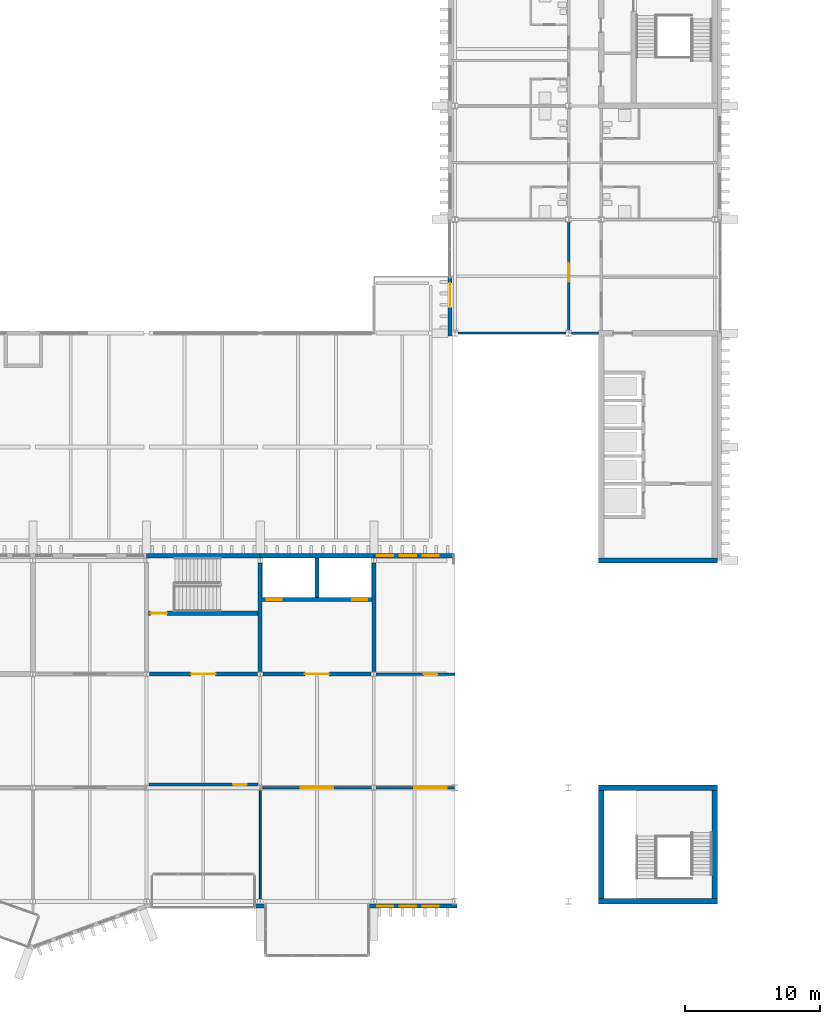
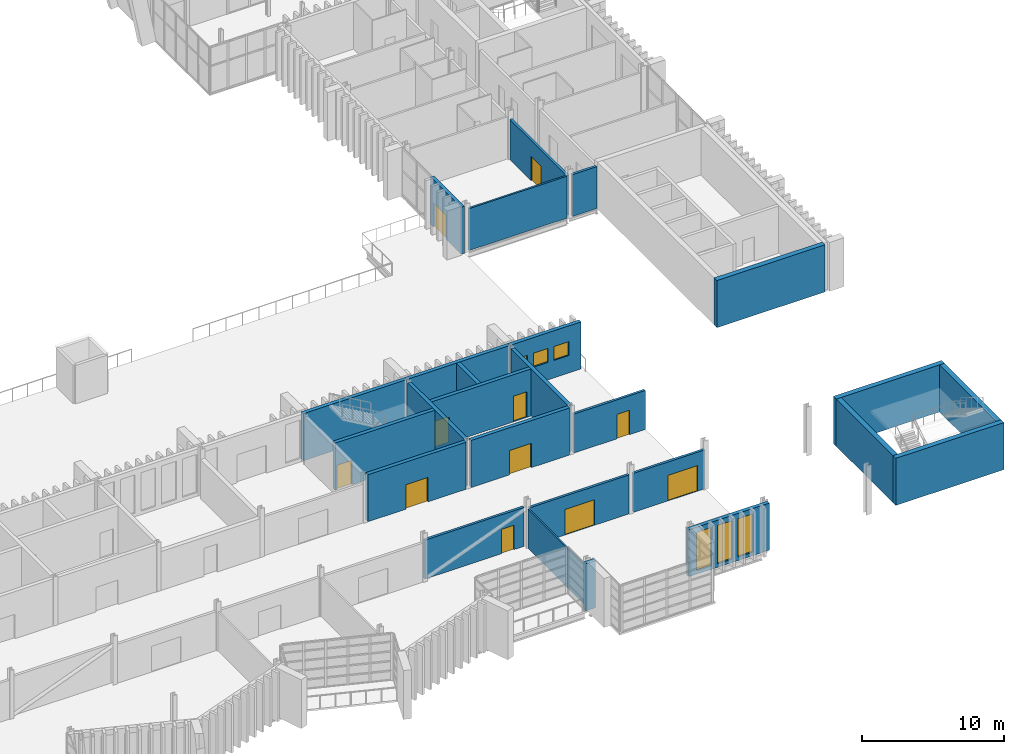
# One storey, part 69 of 96: 26 walls, 11 doors, 6 windows, 17 openings.
"""IFC4 building model written with IfcOpenShell, lengths in metres."""

from ifc_helpers import new_model, si_unit, direction, frame, frame_2d, origin, place, context, subcontext, project, spatial, rectangle, extrude, material, layer, layer_set, type_object, element, fill, save


model = new_model("IFC4")

# Units and contexts
model_context = context("Model", 3, precision=1e-05, world=origin(), true_north=direction((0.0, 1.0)))
body_context = subcontext(model_context, "Body", "Model", "MODEL_VIEW")
ifc_project = project(units=[si_unit("LENGTHUNIT", "METRE"), si_unit("AREAUNIT", "SQUARE_METRE"), si_unit("VOLUMEUNIT", "CUBIC_METRE"), si_unit("PLANEANGLEUNIT", "RADIAN"), si_unit("MASSUNIT", "GRAM", prefix="KILO")], contexts=[model_context])

# Site, building, storey
site_placement = place(None, origin())
site = spatial("IfcSite", under=ifc_project, at=site_placement, CompositionType="ELEMENT")
building_placement = place(site_placement, origin())
building = spatial("IfcBuilding", under=site, at=building_placement, Name="Cresset Court Congress Hotel", CompositionType="ELEMENT")
storey_placement = place(building_placement, frame((0.0, 0.0, 6.0)))
storey = spatial("IfcBuildingStorey", under=building, at=storey_placement, Name="L01", CompositionType="ELEMENT", Elevation=6.0)

# Walls
ifc_material_1 = material(Name="Concrete C50", Category="concrete")
ifc_layer_1 = layer(ifc_material_1, 0.300048828125)
ifc_layer_set_1 = layer_set([ifc_layer_1], Name="Core wall 300 Concrete C50")
wall_type_1 = type_object("IfcWallType", Name="Core wall 300 Concrete C50", PredefinedType="SHEAR", material=ifc_layer_set_1)
for number, where, z_axis, x_axis, name in (
    (1, (142.800048828125, 17.0, 0.0), (0.0, 0.0, 1.0), (0.0, 1.0, 0.0), "Core wall LC-B3"),
    (2, (151.199951171875, 17.0, 0.0), (0.0, 0.0, 1.0), (0.0, 1.0, 0.0), "Core wall LC-B3"),
):
    element("IfcWall", number, at=place(storey_placement, frame(where, z_axis=z_axis, x_axis=x_axis)), inside=storey, type_object=wall_type_1, Name=name, PredefinedType="SHEAR", context=body_context, shape_type="SweptSolid", body=[
        extrude(rectangle(XDim=8.0, YDim=0.300048828125, at=frame_2d((4.0, 0.0))), origin(), (0.0, 0.0, 1.0), 4.050048828125),
    ])

# Wall, opening, door
wall_1_placement = place(storey_placement, frame((143.0, 16.800048828125, 0.0), z_axis=(0.0, 0.0, 1.0), x_axis=(1.0, 0.0, 0.0)))
wall_1 = element("IfcWall", 3, at=wall_1_placement, inside=storey, type_object=wall_type_1, Name="Core wall LC-B3", PredefinedType="SHEAR", context=body_context, shape_type="SweptSolid", body=[
    extrude(rectangle(XDim=8.0, YDim=0.300048828125, at=frame_2d((4.0, 0.0))), origin(), (0.0, 0.0, 1.0), 4.050048828125),
])
opening_1_placement = place(wall_1_placement, frame((3.10009765625, 0.0, 0.0)))
opening_1 = element("IfcOpeningElement", 4, at=opening_1_placement, cuts=wall_1, Name="Opening DB-01-42", PredefinedType="OPENING", context=body_context, shape_type="SweptSolid", body=[
    extrude(rectangle(XDim=1.800048828125, YDim=2.10009765625, at=frame_2d((0.89990234375, 1.050048828125))), frame((0.0, 0.159912109375, 0.0), z_axis=(0.0, -1.0, 0.0), x_axis=(1.0, 0.0, 0.0)), (0.0, 0.0, 1.0), 0.320068359375),
])
ifc_material_2 = material(Name="Timber and steel frame", Category="steel")
door_type_1 = type_object("IfcDoorType", Name="Lobby fire door FD60 double 1800x2100", OperationType="DOUBLE_DOOR_SINGLE_SWING", PredefinedType="DOOR", material=ifc_material_2)
door_1_placement = place(opening_1_placement, origin())
door_1 = element("IfcDoor", 5, at=door_1_placement, inside=storey, type_object=door_type_1, Name="Lift lobby door LC-B3", OperationType="DOUBLE_DOOR_SINGLE_SWING", OverallHeight=2.10009765625, OverallWidth=1.800048828125, PredefinedType="DOOR", context=body_context, shape_type="SweptSolid", body=[
    extrude(rectangle(XDim=1.800048828125, YDim=2.10009765625, at=frame_2d((0.89990234375, 1.050048828125))), frame((0.0, 0.02490234375, 0.0), z_axis=(0.0, -1.0, 0.0), x_axis=(1.0, 0.0, 0.0)), (0.0, 0.0, 1.0), 0.050048828125),
])
fill(opening_1, door_1)

# Wall, openings, doors
wall_2_placement = place(storey_placement, frame((142.949951171875, 22.300048828125, 0.0), z_axis=(0.0, 0.0, 1.0), x_axis=(1.0, 0.0, 0.0)))
wall_2 = element("IfcWall", 6, at=wall_2_placement, inside=storey, type_object=wall_type_1, Name="Core wall LC-B3", PredefinedType="SHEAR", context=body_context, shape_type="SweptSolid", body=[
    extrude(rectangle(XDim=8.10009765625, YDim=0.300048828125, at=frame_2d((4.050048828125, 0.0))), origin(), (0.0, 0.0, 1.0), 4.050048828125),
])
opening_2_placement = place(wall_2_placement, frame((0.35009765625, 0.0, 0.0)))
opening_2 = element("IfcOpeningElement", 7, at=opening_2_placement, cuts=wall_2, Name="Opening LD-B3-05", PredefinedType="OPENING", context=body_context, shape_type="SweptSolid", body=[
    extrude(rectangle(XDim=1.10009765625, YDim=2.199951171875, at=frame_2d((0.550048828125, 1.10009765625))), frame((0.0, 0.159912109375, 0.0), z_axis=(0.0, -1.0, 0.0), x_axis=(1.0, 0.0, 0.0)), (0.0, 0.0, 1.0), 0.320068359375),
])
opening_3_placement = place(wall_2_placement, frame((6.64990234375, 0.0, 0.0)))
opening_3 = element("IfcOpeningElement", 8, at=opening_3_placement, cuts=wall_2, Name="Opening LD-B3-06", PredefinedType="OPENING", context=body_context, shape_type="SweptSolid", body=[
    extrude(rectangle(XDim=1.10009765625, YDim=2.199951171875, at=frame_2d((0.550048828125, 1.10009765625))), frame((0.0, 0.159912109375, 0.0), z_axis=(0.0, -1.0, 0.0), x_axis=(1.0, 0.0, 0.0)), (0.0, 0.0, 1.0), 0.320068359375),
])
ifc_material_3 = material(Name="Stainless steel", Category="steel")
door_type_2 = type_object("IfcDoorType", Name="Lift landing door sliding 1100x2200", OperationType="SLIDING_TO_LEFT", PredefinedType="DOOR", material=ifc_material_3)
door_2_placement = place(opening_2_placement, origin())
door_2 = element("IfcDoor", 9, at=door_2_placement, inside=storey, type_object=door_type_2, Name="Lift landing door LD-B3-05", OperationType="SLIDING_TO_LEFT", OverallHeight=2.199951171875, OverallWidth=1.10009765625, PredefinedType="DOOR", context=body_context, shape_type="SweptSolid", body=[
    extrude(rectangle(XDim=1.10009765625, YDim=2.199951171875, at=frame_2d((0.550048828125, 1.10009765625))), frame((0.0, 0.02490234375, 0.0), z_axis=(0.0, -1.0, 0.0), x_axis=(1.0, 0.0, 0.0)), (0.0, 0.0, 1.0), 0.050048828125),
])
fill(opening_2, door_2)
door_3_placement = place(opening_3_placement, origin())
door_3 = element("IfcDoor", 10, at=door_3_placement, inside=storey, type_object=door_type_2, Name="Lift landing door LD-B3-06", OperationType="SLIDING_TO_LEFT", OverallHeight=2.199951171875, OverallWidth=1.10009765625, PredefinedType="DOOR", context=body_context, shape_type="SweptSolid", body=[
    extrude(rectangle(XDim=1.10009765625, YDim=2.199951171875, at=frame_2d((0.550048828125, 1.10009765625))), frame((0.0, 0.02490234375, 0.0), z_axis=(0.0, -1.0, 0.0), x_axis=(1.0, 0.0, 0.0)), (0.0, 0.0, 1.0), 0.050048828125),
])
fill(opening_3, door_3)

# Wall
wall_3_placement = place(storey_placement, frame((147.0, 22.449951171875, 0.0), z_axis=(0.0, 0.0, 1.0), x_axis=(0.0, 1.0, 0.0)))
element("IfcWall", 11, at=wall_3_placement, inside=storey, type_object=wall_type_1, Name="Core wall LC-B3", PredefinedType="SHEAR", context=body_context, shape_type="SweptSolid", body=[
    extrude(rectangle(XDim=2.949951171875, YDim=0.300048828125, at=frame_2d((1.47509765625, 0.0))), origin(), (0.0, 0.0, 1.0), 4.050048828125),
])

# Wall, opening, door
wall_4_placement = place(storey_placement, frame((134.60009765625, 16.800048828125, 0.0), z_axis=(0.0, 0.0, 1.0), x_axis=(1.0, 0.0, 0.0)))
wall_4 = element("IfcWall", 12, at=wall_4_placement, inside=storey, type_object=wall_type_1, Name="Core wall ST-B5", PredefinedType="SHEAR", context=body_context, shape_type="SweptSolid", body=[
    extrude(rectangle(XDim=8.0, YDim=0.300048828125, at=frame_2d((4.0, 0.0))), origin(), (0.0, 0.0, 1.0), 4.050048828125),
])
opening_4_placement = place(wall_4_placement, frame((3.10009765625, 0.0, 0.0)))
opening_4 = element("IfcOpeningElement", 13, at=opening_4_placement, cuts=wall_4, Name="Opening DB-01-54", PredefinedType="OPENING", context=body_context, shape_type="SweptSolid", body=[
    extrude(rectangle(XDim=1.800048828125, YDim=2.10009765625, at=frame_2d((0.89990234375, 1.050048828125))), frame((0.0, 0.159912109375, 0.0), z_axis=(0.0, -1.0, 0.0), x_axis=(1.0, 0.0, 0.0)), (0.0, 0.0, 1.0), 0.320068359375),
])
door_4_placement = place(opening_4_placement, origin())
door_4 = element("IfcDoor", 14, at=door_4_placement, inside=storey, type_object=door_type_1, Name="Stair lobby door ST-B5", OperationType="DOUBLE_DOOR_SINGLE_SWING", OverallHeight=2.10009765625, OverallWidth=1.800048828125, PredefinedType="DOOR", context=body_context, shape_type="SweptSolid", body=[
    extrude(rectangle(XDim=1.800048828125, YDim=2.10009765625, at=frame_2d((0.89990234375, 1.050048828125))), frame((0.0, 0.02490234375, 0.0), z_axis=(0.0, -1.0, 0.0), x_axis=(1.0, 0.0, 0.0)), (0.0, 0.0, 1.0), 0.050048828125),
])
fill(opening_4, door_4)

wall_5_placement = place(storey_placement, frame((134.550048828125, 21.300048828125, 0.0), z_axis=(0.0, 0.0, 1.0), x_axis=(1.0, 0.0, 0.0)))
wall_5 = element("IfcWall", 15, at=wall_5_placement, inside=storey, type_object=wall_type_1, Name="Core wall ST-B5", PredefinedType="SHEAR", context=body_context, shape_type="SweptSolid", body=[
    extrude(rectangle(XDim=8.099853515625, YDim=0.300048828125, at=frame_2d((4.0498046875, 0.0))), origin(), (0.0, 0.0, 1.0), 4.050048828125),
])
opening_5_placement = place(wall_5_placement, frame((0.14990234375, 0.0, 0.0)))
opening_5 = element("IfcOpeningElement", 16, at=opening_5_placement, cuts=wall_5, Name="Opening DB-01-53", PredefinedType="OPENING", context=body_context, shape_type="SweptSolid", body=[
    extrude(rectangle(XDim=1.199951171875, YDim=2.10009765625, at=frame_2d((0.60009765625, 1.050048828125))), frame((0.0, 0.159912109375, 0.0), z_axis=(0.0, -1.0, 0.0), x_axis=(1.0, 0.0, 0.0)), (0.0, 0.0, 1.0), 0.320068359375),
])
ifc_material_4 = material(Name="Timber and steel frame", Category="steel")
door_type_3 = type_object("IfcDoorType", Name="Stair fire door FD60 1200x2100", OperationType="SINGLE_SWING_LEFT", PredefinedType="DOOR", material=ifc_material_4)
door_5_placement = place(opening_5_placement, origin())
door_5 = element("IfcDoor", 17, at=door_5_placement, inside=storey, type_object=door_type_3, Name="Stair door ST-B5", OperationType="SINGLE_SWING_LEFT", OverallHeight=2.10009765625, OverallWidth=1.199951171875, PredefinedType="DOOR", context=body_context, shape_type="SweptSolid", body=[
    extrude(rectangle(XDim=1.199951171875, YDim=2.10009765625, at=frame_2d((0.60009765625, 1.050048828125))), frame((0.0, 0.02490234375, 0.0), z_axis=(0.0, -1.0, 0.0), x_axis=(1.0, 0.0, 0.0)), (0.0, 0.0, 1.0), 0.050048828125),
])
fill(opening_5, door_5)

# Walls
ifc_material_5 = material(Name="Concrete C50", Category="concrete")
ifc_layer_2 = layer(ifc_material_5, 0.300048828125)
ifc_layer_set_2 = layer_set([ifc_layer_2], Name="Core wall 300 Concrete C50 external")
wall_type_2 = type_object("IfcWallType", Name="Core wall 300 Concrete C50 external", PredefinedType="SHEAR", material=ifc_layer_set_2)
wall_6_placement = place(storey_placement, frame((142.800048828125, 25.550048828125, 0.0), z_axis=(0.0, 0.0, 1.0), x_axis=(1.0, 0.0, 0.0)))
element("IfcWall", 18, at=wall_6_placement, inside=storey, type_object=wall_type_2, Name="Core wall LC-B3", PredefinedType="SHEAR", context=body_context, shape_type="SweptSolid", body=[
    extrude(rectangle(XDim=8.39990234375, YDim=0.300048828125, at=frame_2d((4.199951171875, 0.0))), origin(), (0.0, 0.0, 1.0), 4.050048828125),
])
wall_7_placement = place(storey_placement, frame((134.39990234375, 25.550048828125, 0.0), z_axis=(0.0, 0.0, 1.0), x_axis=(1.0, 0.0, 0.0)))
element("IfcWall", 19, at=wall_7_placement, inside=storey, type_object=wall_type_2, Name="Core wall ST-B5", PredefinedType="SHEAR", context=body_context, shape_type="SweptSolid", body=[
    extrude(rectangle(XDim=8.400146484375, YDim=0.300048828125, at=frame_2d((4.2001953125, 0.0))), origin(), (0.0, 0.0, 1.0), 4.050048828125),
])
ifc_material_6 = material(Name="Gypsum board partition")
ifc_layer_3 = layer(ifc_material_6, 0.199951171875)
ifc_layer_set_3 = layer_set([ifc_layer_3], Name="Corridor wall 200")
wall_type_3 = type_object("IfcWallType", Name="Corridor wall 200", PredefinedType="PARTITIONING", material=ifc_layer_set_3)
wall_8_placement = place(storey_placement, frame((165.803466796875, 42.0, 0.0), z_axis=(0.0, 0.0, 1.0), x_axis=(1.0, 0.0, 0.0)))
element("IfcWall", 20, at=wall_8_placement, inside=storey, type_object=wall_type_3, Name="A.wl.L01.021", PredefinedType="PARTITIONING", context=body_context, shape_type="SweptSolid", body=[
    extrude(rectangle(XDim=1.99658203125, YDim=0.199951171875, at=frame_2d((0.998291015625, 0.0))), origin(), (0.0, 0.0, 1.0), 3.60400390625),
])

# Wall, opening, door
wall_9_placement = place(storey_placement, frame((165.60009765625, 42.214111328125, 0.0), z_axis=(0.0, 0.0, 1.0), x_axis=(0.0, 1.0, 0.0)))
wall_9 = element("IfcWall", 21, at=wall_9_placement, inside=storey, type_object=wall_type_3, Name="A.wl.L01.022", PredefinedType="PARTITIONING", context=body_context, shape_type="SweptSolid", body=[
    extrude(rectangle(XDim=7.971923828125, YDim=0.199951171875, at=frame_2d((3.98583984375, 0.0))), origin(), (0.0, 0.0, 1.0), 3.449951171875),
])
opening_6_placement = place(wall_9_placement, frame((3.5859375, 0.0, 0.0)))
opening_6 = element("IfcOpeningElement", 22, at=opening_6_placement, cuts=wall_9, Name="Opening DA-01-13", PredefinedType="OPENING", context=body_context, shape_type="SweptSolid", body=[
    extrude(rectangle(XDim=1.39990234375, YDim=2.10009765625, at=frame_2d((0.699951171875, 1.050048828125))), frame((0.0, 0.10986328125, 0.0), z_axis=(0.0, -1.0, 0.0), x_axis=(1.0, 0.0, 0.0)), (0.0, 0.0, 1.0), 0.219970703125),
])
ifc_material_7 = material(Name="steel", Category="steel")
door_type_4 = type_object("IfcDoorType", Name="Lobby door 1400x2100 FD90", OperationType="DOUBLE_DOOR_DOUBLE_SWING", PredefinedType="DOOR", material=ifc_material_7)
door_6_placement = place(opening_6_placement, origin())
door_6 = element("IfcDoor", 23, at=door_6_placement, inside=storey, type_object=door_type_4, Name="Door DA-01-13", OperationType="DOUBLE_DOOR_DOUBLE_SWING", OverallHeight=2.10009765625, OverallWidth=1.39990234375, PredefinedType="DOOR", context=body_context, shape_type="SweptSolid", body=[
    extrude(rectangle(XDim=1.39990234375, YDim=2.10009765625, at=frame_2d((0.699951171875, 1.050048828125))), frame((0.0, 0.02490234375, 0.0), z_axis=(0.0, -1.0, 0.0), x_axis=(1.0, 0.0, 0.0)), (0.0, 0.0, 1.0), 0.050048828125),
])
fill(opening_6, door_6)

ifc_material_8 = material(Name="Precast concrete C50", Category="concrete")
ifc_layer_4 = layer(ifc_material_8, 0.280029296875)
ifc_layer_set_4 = layer_set([ifc_layer_4], Name="External wall 280")
wall_type_4 = type_object("IfcWallType", Name="External wall 280", PredefinedType="SOLIDWALL", material=ifc_layer_set_4)
wall_10_placement = place(storey_placement, frame((156.840087890625, 41.800048828125, 0.0), z_axis=(0.0, 0.0, 1.0), x_axis=(0.0, 1.0, 0.0)))
wall_10 = element("IfcWall", 24, at=wall_10_placement, inside=storey, type_object=wall_type_4, Name="A.ew.L01.W.2", PredefinedType="SOLIDWALL", context=body_context, shape_type="SweptSolid", body=[
    extrude(rectangle(XDim=4.300048828125, YDim=0.280029296875, at=frame_2d((2.14990234375, 0.0))), origin(), (0.0, 0.0, 1.0), 4.050048828125),
])
opening_7_placement = place(wall_10_placement, frame((2.10009765625, 0.0, 0.0)))
opening_7 = element("IfcOpeningElement", 25, at=opening_7_placement, cuts=wall_10, Name="Opening DA-01-D1", PredefinedType="OPENING", context=body_context, shape_type="SweptSolid", body=[
    extrude(rectangle(XDim=1.800048828125, YDim=2.10009765625, at=frame_2d((0.89990234375, 1.050048828125))), frame((0.0, 0.14990234375, 0.0), z_axis=(0.0, -1.0, 0.0), x_axis=(1.0, 0.0, 0.0)), (0.0, 0.0, 1.0), 0.300048828125),
])
ifc_material_9 = material(Name="aluminium and glass", Category="aluminium")
door_type_5 = type_object("IfcDoorType", Name="Deck entrance door 1800x2100", OperationType="DOUBLE_DOOR_DOUBLE_SWING", PredefinedType="DOOR", material=ifc_material_9)
door_7_placement = place(opening_7_placement, origin())
door_7 = element("IfcDoor", 26, at=door_7_placement, inside=storey, type_object=door_type_5, Name="Door DA-01-D1", OperationType="DOUBLE_DOOR_DOUBLE_SWING", OverallHeight=2.10009765625, OverallWidth=1.800048828125, PredefinedType="DOOR", context=body_context, shape_type="SweptSolid", body=[
    extrude(rectangle(XDim=1.800048828125, YDim=2.10009765625, at=frame_2d((0.89990234375, 1.050048828125))), frame((0.0, 0.02490234375, 0.0), z_axis=(0.0, -1.0, 0.0), x_axis=(1.0, 0.0, 0.0)), (0.0, 0.0, 1.0), 0.050048828125),
])
fill(opening_7, door_7)

# Wall
ifc_material_10 = material(Name="Concrete C40", Category="concrete")
ifc_layer_5 = layer(ifc_material_10, 0.300048828125)
ifc_layer_set_5 = layer_set([ifc_layer_5], Name="External wall 300 Concrete C40")
wall_type_5 = type_object("IfcWallType", Name="External wall 300 Concrete C40", PredefinedType="SOLIDWALL", material=ifc_layer_set_5)
wall_11_placement = place(storey_placement, frame((142.39990234375, -0.35009765625, 0.0), z_axis=(0.0, 0.0, 1.0), x_axis=(1.0, 0.0, 0.0)))
element("IfcWall", 27, at=wall_11_placement, inside=storey, type_object=wall_type_5, Name="External wall", PredefinedType="SOLIDWALL", context=body_context, shape_type="SweptSolid", body=[
    extrude(rectangle(XDim=0.800048828125, YDim=0.300048828125, at=frame_2d((0.39990234375, 0.0))), origin(), (0.0, 0.0, 1.0), 4.050048828125),
])

# Wall, openings, windows
wall_12_placement = place(storey_placement, frame((150.800048828125, -0.35009765625, 0.0), z_axis=(0.0, 0.0, 1.0), x_axis=(1.0, 0.0, 0.0)))
wall_12 = element("IfcWall", 28, at=wall_12_placement, inside=storey, type_object=wall_type_5, Name="External wall", PredefinedType="SOLIDWALL", context=body_context, shape_type="SweptSolid", body=[
    extrude(rectangle(XDim=6.550048828125, YDim=0.300048828125, at=frame_2d((3.27490234375, 0.0))), origin(), (0.0, 0.0, 1.0), 4.050048828125),
])
opening_8_placement = place(wall_12_placement, frame((0.639892578125, 0.0, 0.300048828125)))
opening_8 = element("IfcOpeningElement", 29, at=opening_8_placement, cuts=wall_12, Name="Opening NB-01-11", PredefinedType="OPENING", context=body_context, shape_type="SweptSolid", body=[
    extrude(rectangle(XDim=1.199951171875, YDim=3.300048828125, at=frame_2d((0.60009765625, 1.64990234375))), frame((0.0, 0.159912109375, 0.0), z_axis=(0.0, -1.0, 0.0), x_axis=(1.0, 0.0, 0.0)), (0.0, 0.0, 1.0), 0.320068359375),
])
opening_9_placement = place(wall_12_placement, frame((2.320068359375, 0.0, 0.300048828125)))
opening_9 = element("IfcOpeningElement", 30, at=opening_9_placement, cuts=wall_12, Name="Opening NB-01-12", PredefinedType="OPENING", context=body_context, shape_type="SweptSolid", body=[
    extrude(rectangle(XDim=1.199951171875, YDim=3.300048828125, at=frame_2d((0.60009765625, 1.64990234375))), frame((0.0, 0.159912109375, 0.0), z_axis=(0.0, -1.0, 0.0), x_axis=(1.0, 0.0, 0.0)), (0.0, 0.0, 1.0), 0.320068359375),
])
opening_10_placement = place(wall_12_placement, frame((4.0, 0.0, 0.300048828125)))
opening_10 = element("IfcOpeningElement", 31, at=opening_10_placement, cuts=wall_12, Name="Opening NB-01-13", PredefinedType="OPENING", context=body_context, shape_type="SweptSolid", body=[
    extrude(rectangle(XDim=1.199951171875, YDim=3.300048828125, at=frame_2d((0.60009765625, 1.64990234375))), frame((0.0, 0.159912109375, 0.0), z_axis=(0.0, -1.0, 0.0), x_axis=(1.0, 0.0, 0.0)), (0.0, 0.0, 1.0), 0.320068359375),
])
ifc_material_11 = material(Name="Aluminium frame with double glazing", Category="aluminium")
window_type_1 = type_object("IfcWindowType", Name="Window 1200x3300", PartitioningType="TRIPLE_PANEL_VERTICAL", PredefinedType="WINDOW", material=ifc_material_11)
window_1_placement = place(opening_8_placement, origin())
window_1 = element("IfcWindow", 32, at=window_1_placement, inside=storey, type_object=window_type_1, Name="Window NB-01-11", OverallHeight=3.300048828125, OverallWidth=1.199951171875, PartitioningType="TRIPLE_PANEL_VERTICAL", PredefinedType="WINDOW", context=body_context, shape_type="SweptSolid", body=[
    extrude(rectangle(XDim=1.199951171875, YDim=3.300048828125, at=frame_2d((0.60009765625, 1.64990234375))), frame((0.0, 0.030029296875, 0.0), z_axis=(0.0, -1.0, 0.0), x_axis=(1.0, 0.0, 0.0)), (0.0, 0.0, 1.0), 0.06005859375),
])
fill(opening_8, window_1)
window_2_placement = place(opening_9_placement, origin())
window_2 = element("IfcWindow", 33, at=window_2_placement, inside=storey, type_object=window_type_1, Name="Window NB-01-12", OverallHeight=3.300048828125, OverallWidth=1.199951171875, PartitioningType="TRIPLE_PANEL_VERTICAL", PredefinedType="WINDOW", context=body_context, shape_type="SweptSolid", body=[
    extrude(rectangle(XDim=1.199951171875, YDim=3.300048828125, at=frame_2d((0.60009765625, 1.64990234375))), frame((0.0, 0.030029296875, 0.0), z_axis=(0.0, -1.0, 0.0), x_axis=(1.0, 0.0, 0.0)), (0.0, 0.0, 1.0), 0.06005859375),
])
fill(opening_9, window_2)
window_3_placement = place(opening_10_placement, origin())
window_3 = element("IfcWindow", 34, at=window_3_placement, inside=storey, type_object=window_type_1, Name="Window NB-01-13", OverallHeight=3.300048828125, OverallWidth=1.199951171875, PartitioningType="TRIPLE_PANEL_VERTICAL", PredefinedType="WINDOW", context=body_context, shape_type="SweptSolid", body=[
    extrude(rectangle(XDim=1.199951171875, YDim=3.300048828125, at=frame_2d((0.60009765625, 1.64990234375))), frame((0.0, 0.030029296875, 0.0), z_axis=(0.0, -1.0, 0.0), x_axis=(1.0, 0.0, 0.0)), (0.0, 0.0, 1.0), 0.06005859375),
])
fill(opening_10, window_3)

wall_13_placement = place(storey_placement, frame((151.10009765625, 25.550048828125, 0.0), z_axis=(0.0, 0.0, 1.0), x_axis=(1.0, 0.0, 0.0)))
wall_13 = element("IfcWall", 35, at=wall_13_placement, inside=storey, type_object=wall_type_5, Name="External wall", PredefinedType="SOLIDWALL", context=body_context, shape_type="SweptSolid", body=[
    extrude(rectangle(XDim=5.89990234375, YDim=0.300048828125, at=frame_2d((2.949951171875, 0.0))), origin(), (0.0, 0.0, 1.0), 4.050048828125),
])
opening_11_placement = place(wall_13_placement, frame((0.340087890625, 0.0, 1.5)))
opening_11 = element("IfcOpeningElement", 36, at=opening_11_placement, cuts=wall_13, Name="Opening NB-01-80", PredefinedType="OPENING", context=body_context, shape_type="SweptSolid", body=[
    extrude(rectangle(XDim=1.199951171875, YDim=1.199951171875, at=frame_2d((0.60009765625, 0.60009765625))), frame((0.0, 0.159912109375, 0.0), z_axis=(0.0, -1.0, 0.0), x_axis=(1.0, 0.0, 0.0)), (0.0, 0.0, 1.0), 0.320068359375),
])
opening_12_placement = place(wall_13_placement, frame((2.02001953125, 0.0, 1.5)))
opening_12 = element("IfcOpeningElement", 37, at=opening_12_placement, cuts=wall_13, Name="Opening NB-01-81", PredefinedType="OPENING", context=body_context, shape_type="SweptSolid", body=[
    extrude(rectangle(XDim=1.199951171875, YDim=1.199951171875, at=frame_2d((0.60009765625, 0.60009765625))), frame((0.0, 0.159912109375, 0.0), z_axis=(0.0, -1.0, 0.0), x_axis=(1.0, 0.0, 0.0)), (0.0, 0.0, 1.0), 0.320068359375),
])
opening_13_placement = place(wall_13_placement, frame((3.699951171875, 0.0, 1.5)))
opening_13 = element("IfcOpeningElement", 38, at=opening_13_placement, cuts=wall_13, Name="Opening NB-01-82", PredefinedType="OPENING", context=body_context, shape_type="SweptSolid", body=[
    extrude(rectangle(XDim=1.199951171875, YDim=1.199951171875, at=frame_2d((0.60009765625, 0.60009765625))), frame((0.0, 0.159912109375, 0.0), z_axis=(0.0, -1.0, 0.0), x_axis=(1.0, 0.0, 0.0)), (0.0, 0.0, 1.0), 0.320068359375),
])
ifc_material_12 = material(Name="Aluminium frame with double glazing", Category="aluminium")
window_type_2 = type_object("IfcWindowType", Name="Window 1200x1200", PartitioningType="SINGLE_PANEL", PredefinedType="WINDOW", material=ifc_material_12)
window_4_placement = place(opening_11_placement, origin())
window_4 = element("IfcWindow", 39, at=window_4_placement, inside=storey, type_object=window_type_2, Name="Window NB-01-80", OverallHeight=1.199951171875, OverallWidth=1.199951171875, PartitioningType="SINGLE_PANEL", PredefinedType="WINDOW", context=body_context, shape_type="SweptSolid", body=[
    extrude(rectangle(XDim=1.199951171875, YDim=1.199951171875, at=frame_2d((0.60009765625, 0.60009765625))), frame((0.0, 0.030029296875, 0.0), z_axis=(0.0, -1.0, 0.0), x_axis=(1.0, 0.0, 0.0)), (0.0, 0.0, 1.0), 0.06005859375),
])
fill(opening_11, window_4)
window_5_placement = place(opening_12_placement, origin())
window_5 = element("IfcWindow", 40, at=window_5_placement, inside=storey, type_object=window_type_2, Name="Window NB-01-81", OverallHeight=1.199951171875, OverallWidth=1.199951171875, PartitioningType="SINGLE_PANEL", PredefinedType="WINDOW", context=body_context, shape_type="SweptSolid", body=[
    extrude(rectangle(XDim=1.199951171875, YDim=1.199951171875, at=frame_2d((0.60009765625, 0.60009765625))), frame((0.0, 0.030029296875, 0.0), z_axis=(0.0, -1.0, 0.0), x_axis=(1.0, 0.0, 0.0)), (0.0, 0.0, 1.0), 0.06005859375),
])
fill(opening_12, window_5)
window_6_placement = place(opening_13_placement, origin())
window_6 = element("IfcWindow", 41, at=window_6_placement, inside=storey, type_object=window_type_2, Name="Window NB-01-82", OverallHeight=1.199951171875, OverallWidth=1.199951171875, PartitioningType="SINGLE_PANEL", PredefinedType="WINDOW", context=body_context, shape_type="SweptSolid", body=[
    extrude(rectangle(XDim=1.199951171875, YDim=1.199951171875, at=frame_2d((0.60009765625, 0.60009765625))), frame((0.0, 0.030029296875, 0.0), z_axis=(0.0, -1.0, 0.0), x_axis=(1.0, 0.0, 0.0)), (0.0, 0.0, 1.0), 0.06005859375),
])
fill(opening_13, window_6)

# Wall, opening, door
ifc_material_13 = material(Name="Gypsum board on steel studs", Category="steel")
ifc_layer_6 = layer(ifc_material_13, 0.199951171875)
ifc_layer_set_6 = layer_set([ifc_layer_6], Name="Foyer wall 200")
wall_type_6 = type_object("IfcWallType", Name="Foyer wall 200", PredefinedType="PARTITIONING", material=ifc_layer_set_6)
wall_14_placement = place(storey_placement, frame((134.574951171875, 8.646484375, 0.0), z_axis=(0.0, 0.0, 1.0), x_axis=(1.0, 0.0, 0.0)))
wall_14 = element("IfcWall", 42, at=wall_14_placement, inside=storey, type_object=wall_type_6, Name="Foyer wall", PredefinedType="PARTITIONING", context=body_context, shape_type="SweptSolid", body=[
    extrude(rectangle(XDim=8.050048828125, YDim=0.199951171875, at=frame_2d((4.02490234375, 0.0))), origin(), (0.0, 0.0, 1.0), 3.35009765625),
])
opening_14_placement = place(wall_14_placement, frame((6.22509765625, 0.0, 0.0)))
opening_14 = element("IfcOpeningElement", 43, at=opening_14_placement, cuts=wall_14, Name="Opening DB-01-18", PredefinedType="OPENING", context=body_context, shape_type="SweptSolid", body=[
    extrude(rectangle(XDim=1.0, YDim=2.10009765625, at=frame_2d((0.5, 1.050048828125))), frame((0.0, 0.10986328125, 0.0), z_axis=(0.0, -1.0, 0.0), x_axis=(1.0, 0.0, 0.0)), (0.0, 0.0, 1.0), 0.219970703125),
])
ifc_material_14 = material(Name="Timber and steel frame", Category="steel")
door_type_6 = type_object("IfcDoorType", Name="Fire door FD30 single 1000x2100", OperationType="SINGLE_SWING_LEFT", PredefinedType="DOOR", material=ifc_material_14)
door_8_placement = place(opening_14_placement, origin())
door_8 = element("IfcDoor", 44, at=door_8_placement, inside=storey, type_object=door_type_6, Name="Meeting Room door", OperationType="SINGLE_SWING_LEFT", OverallHeight=2.10009765625, OverallWidth=1.0, PredefinedType="DOOR", context=body_context, shape_type="SweptSolid", body=[
    extrude(rectangle(XDim=1.0, YDim=2.10009765625, at=frame_2d((0.5, 1.050048828125))), frame((0.0, 0.02490234375, 0.0), z_axis=(0.0, -1.0, 0.0), x_axis=(1.0, 0.0, 0.0)), (0.0, 0.0, 1.0), 0.050048828125),
])
fill(opening_14, door_8)

wall_15_placement = place(storey_placement, frame((142.97509765625, 8.39990234375, 0.0), z_axis=(0.0, 0.0, 1.0), x_axis=(1.0, 0.0, 0.0)))
wall_15 = element("IfcWall", 45, at=wall_15_placement, inside=storey, type_object=wall_type_6, Name="Foyer wall", PredefinedType="PARTITIONING", context=body_context, shape_type="SweptSolid", body=[
    extrude(rectangle(XDim=8.0498046875, YDim=0.199951171875, at=frame_2d((4.02490234375, 0.0))), origin(), (0.0, 0.0, 1.0), 3.35009765625),
])
opening_15_placement = place(wall_15_placement, frame((2.824951171875, 0.0, 0.0)))
opening_15 = element("IfcOpeningElement", 46, at=opening_15_placement, cuts=wall_15, Name="Opening DB-01-19", PredefinedType="OPENING", context=body_context, shape_type="SweptSolid", body=[
    extrude(rectangle(XDim=2.39990234375, YDim=2.199951171875, at=frame_2d((1.199951171875, 1.10009765625))), frame((0.0, 0.10986328125, 0.0), z_axis=(0.0, -1.0, 0.0), x_axis=(1.0, 0.0, 0.0)), (0.0, 0.0, 1.0), 0.219970703125),
])
ifc_material_15 = material(Name="Timber and steel frame", Category="steel")
door_type_7 = type_object("IfcDoorType", Name="Fire door FD30 double 2400x2200", OperationType="DOUBLE_DOOR_SINGLE_SWING", PredefinedType="DOOR", material=ifc_material_15)
door_9_placement = place(opening_15_placement, origin())
door_9 = element("IfcDoor", 47, at=door_9_placement, inside=storey, type_object=door_type_7, Name="Meeting Room door", OperationType="DOUBLE_DOOR_SINGLE_SWING", OverallHeight=2.199951171875, OverallWidth=2.39990234375, PredefinedType="DOOR", context=body_context, shape_type="SweptSolid", body=[
    extrude(rectangle(XDim=2.39990234375, YDim=2.199951171875, at=frame_2d((1.199951171875, 1.10009765625))), frame((0.0, 0.02490234375, 0.0), z_axis=(0.0, -1.0, 0.0), x_axis=(1.0, 0.0, 0.0)), (0.0, 0.0, 1.0), 0.050048828125),
])
fill(opening_15, door_9)

wall_16_placement = place(storey_placement, frame((151.375, 8.39990234375, 0.0), z_axis=(0.0, 0.0, 1.0), x_axis=(1.0, 0.0, 0.0)))
wall_16 = element("IfcWall", 48, at=wall_16_placement, inside=storey, type_object=wall_type_6, Name="Foyer wall", PredefinedType="PARTITIONING", context=body_context, shape_type="SweptSolid", body=[
    extrude(rectangle(XDim=5.824951171875, YDim=0.199951171875, at=frame_2d((2.91259765625, 0.0))), origin(), (0.0, 0.0, 1.0), 3.35009765625),
])
opening_16_placement = place(wall_16_placement, frame((2.824951171875, 0.0, 0.0)))
opening_16 = element("IfcOpeningElement", 49, at=opening_16_placement, cuts=wall_16, Name="Opening DB-01-20", PredefinedType="OPENING", context=body_context, shape_type="SweptSolid", body=[
    extrude(rectangle(XDim=2.39990234375, YDim=2.199951171875, at=frame_2d((1.199951171875, 1.10009765625))), frame((0.0, 0.10986328125, 0.0), z_axis=(0.0, -1.0, 0.0), x_axis=(1.0, 0.0, 0.0)), (0.0, 0.0, 1.0), 0.219970703125),
])
door_10_placement = place(opening_16_placement, origin())
door_10 = element("IfcDoor", 50, at=door_10_placement, inside=storey, type_object=door_type_7, Name="Meeting Room door", OperationType="DOUBLE_DOOR_SINGLE_SWING", OverallHeight=2.199951171875, OverallWidth=2.39990234375, PredefinedType="DOOR", context=body_context, shape_type="SweptSolid", body=[
    extrude(rectangle(XDim=2.39990234375, YDim=2.199951171875, at=frame_2d((1.199951171875, 1.10009765625))), frame((0.0, 0.02490234375, 0.0), z_axis=(0.0, -1.0, 0.0), x_axis=(1.0, 0.0, 0.0)), (0.0, 0.0, 1.0), 0.050048828125),
])
fill(opening_16, door_10)

wall_17_placement = place(storey_placement, frame((151.375, 16.800048828125, 0.0), z_axis=(0.0, 0.0, 1.0), x_axis=(1.0, 0.0, 0.0)))
wall_17 = element("IfcWall", 51, at=wall_17_placement, inside=storey, type_object=wall_type_6, Name="Foyer wall", PredefinedType="PARTITIONING", context=body_context, shape_type="SweptSolid", body=[
    extrude(rectangle(XDim=5.824951171875, YDim=0.199951171875, at=frame_2d((2.91259765625, 0.0))), origin(), (0.0, 0.0, 1.0), 3.35009765625),
])
opening_17_placement = place(wall_17_placement, frame((3.52490234375, 0.0, 0.0)))
opening_17 = element("IfcOpeningElement", 52, at=opening_17_placement, cuts=wall_17, Name="Opening DB-01-30", PredefinedType="OPENING", context=body_context, shape_type="SweptSolid", body=[
    extrude(rectangle(XDim=1.0, YDim=2.10009765625, at=frame_2d((0.5, 1.050048828125))), frame((0.0, 0.10986328125, 0.0), z_axis=(0.0, -1.0, 0.0), x_axis=(1.0, 0.0, 0.0)), (0.0, 0.0, 1.0), 0.219970703125),
])
door_11_placement = place(opening_17_placement, origin())
door_11 = element("IfcDoor", 53, at=door_11_placement, inside=storey, type_object=door_type_6, Name="Storage door", OperationType="SINGLE_SWING_LEFT", OverallHeight=2.10009765625, OverallWidth=1.0, PredefinedType="DOOR", context=body_context, shape_type="SweptSolid", body=[
    extrude(rectangle(XDim=1.0, YDim=2.10009765625, at=frame_2d((0.5, 1.050048828125))), frame((0.0, 0.02490234375, 0.0), z_axis=(0.0, -1.0, 0.0), x_axis=(1.0, 0.0, 0.0)), (0.0, 0.0, 1.0), 0.050048828125),
])
fill(opening_17, door_11)

# Walls
ifc_material_16 = material(Name="Gypsum board partition")
ifc_layer_7 = layer(ifc_material_16, 0.14990234375)
ifc_layer_set_7 = layer_set([ifc_layer_7], Name="Guest-room partition 150")
wall_type_7 = type_object("IfcWallType", Name="Guest-room partition 150", PredefinedType="PARTITIONING", material=ifc_layer_set_7)
wall_18_placement = place(storey_placement, frame((157.403564453125, 42.0, 0.0), z_axis=(0.0, 0.0, 1.0), x_axis=(1.0, 0.0, 0.0)))
element("IfcWall", 54, at=wall_18_placement, inside=storey, type_object=wall_type_7, Name="A.wl.L01.020", PredefinedType="PARTITIONING", context=body_context, shape_type="SweptSolid", body=[
    extrude(rectangle(XDim=7.992919921875, YDim=0.14990234375, at=frame_2d((3.99658203125, 0.0))), origin(), (0.0, 0.0, 1.0), 3.60400390625),
])
ifc_material_17 = material(Name="Concrete C50", Category="concrete")
ifc_layer_8 = layer(ifc_material_17, 0.39990234375)
ifc_layer_set_8 = layer_set([ifc_layer_8], Name="Lift core wall 400")
wall_type_8 = type_object("IfcWallType", Name="Lift core wall 400", PredefinedType="SOLIDWALL", material=ifc_layer_set_8)
wall_19_placement = place(storey_placement, frame((167.800048828125, 25.199951171875, 0.0), z_axis=(0.0, 0.0, 1.0), x_axis=(1.0, 0.0, 0.0)))
element("IfcWall", 55, at=wall_19_placement, inside=storey, type_object=wall_type_8, Name="A.cw.LC-A.L01.S", PredefinedType="SOLIDWALL", context=body_context, shape_type="SweptSolid", body=[
    extrude(rectangle(XDim=8.800048828125, YDim=0.39990234375, at=frame_2d((4.39990234375, 0.0))), origin(), (0.0, 0.0, 1.0), 4.050048828125),
])
ifc_material_18 = material(Name="Laminated timber panels", Category="wood")
ifc_layer_9 = layer(ifc_material_18, 0.125)
ifc_layer_set_9 = layer_set([ifc_layer_9], Name="Operable partition 125")
wall_type_9 = type_object("IfcWallType", Name="Operable partition 125", PredefinedType="MOVABLE", material=ifc_layer_set_9)
wall_20_placement = place(storey_placement, frame((142.800048828125, 0.175048828125, 0.0), z_axis=(0.0, 0.0, 1.0), x_axis=(0.0, 1.0, 0.0)))
element("IfcWall", 56, at=wall_20_placement, inside=storey, type_object=wall_type_9, Name="Operable partition", PredefinedType="MOVABLE", context=body_context, shape_type="SweptSolid", body=[
    extrude(rectangle(XDim=8.050048828125, YDim=0.125, at=frame_2d((4.02490234375, 0.0))), origin(), (0.0, 0.0, 1.0), 3.35009765625),
])
ifc_material_19 = material(Name="Concrete C50", Category="concrete")
ifc_layer_10 = layer(ifc_material_19, 0.39990234375)
ifc_layer_set_10 = layer_set([ifc_layer_10], Name="Stair core wall 400")
wall_type_10 = type_object("IfcWallType", Name="Stair core wall 400", PredefinedType="SOLIDWALL", material=ifc_layer_set_10)
for number, where, z_axis, x_axis, name in (
    (57, (167.800048828125, 0.0, 0.0), (0.0, 0.0, 1.0), (1.0, 0.0, 0.0), "A.cw.ST-A1.L01.S"),
    (58, (167.800048828125, 8.39990234375, 0.0), (0.0, 0.0, 1.0), (1.0, 0.0, 0.0), "A.cw.ST-A1.L01.N"),
):
    element("IfcWall", number, at=place(storey_placement, frame(where, z_axis=z_axis, x_axis=x_axis)), inside=storey, type_object=wall_type_10, Name=name, PredefinedType="SOLIDWALL", context=body_context, shape_type="SweptSolid", body=[
        extrude(rectangle(XDim=8.800048828125, YDim=0.39990234375, at=frame_2d((4.39990234375, 0.0))), origin(), (0.0, 0.0, 1.0), 4.050048828125),
    ])
for number, where, z_axis, x_axis, name in (
    (59, (168.0, 0.199951171875, 0.0), (0.0, 0.0, 1.0), (0.0, 1.0, 0.0), "A.cw.ST-A1.L01.W"),
    (60, (176.39990234375, 0.199951171875, 0.0), (0.0, 0.0, 1.0), (0.0, 1.0, 0.0), "A.cw.ST-A1.L01.E"),
):
    element("IfcWall", number, at=place(storey_placement, frame(where, z_axis=z_axis, x_axis=x_axis)), inside=storey, type_object=wall_type_10, Name=name, PredefinedType="SOLIDWALL", context=body_context, shape_type="SweptSolid", body=[
        extrude(rectangle(XDim=8.0, YDim=0.39990234375, at=frame_2d((4.0, 0.0))), origin(), (0.0, 0.0, 1.0), 4.050048828125),
    ])

save(model, "model.ifc")
